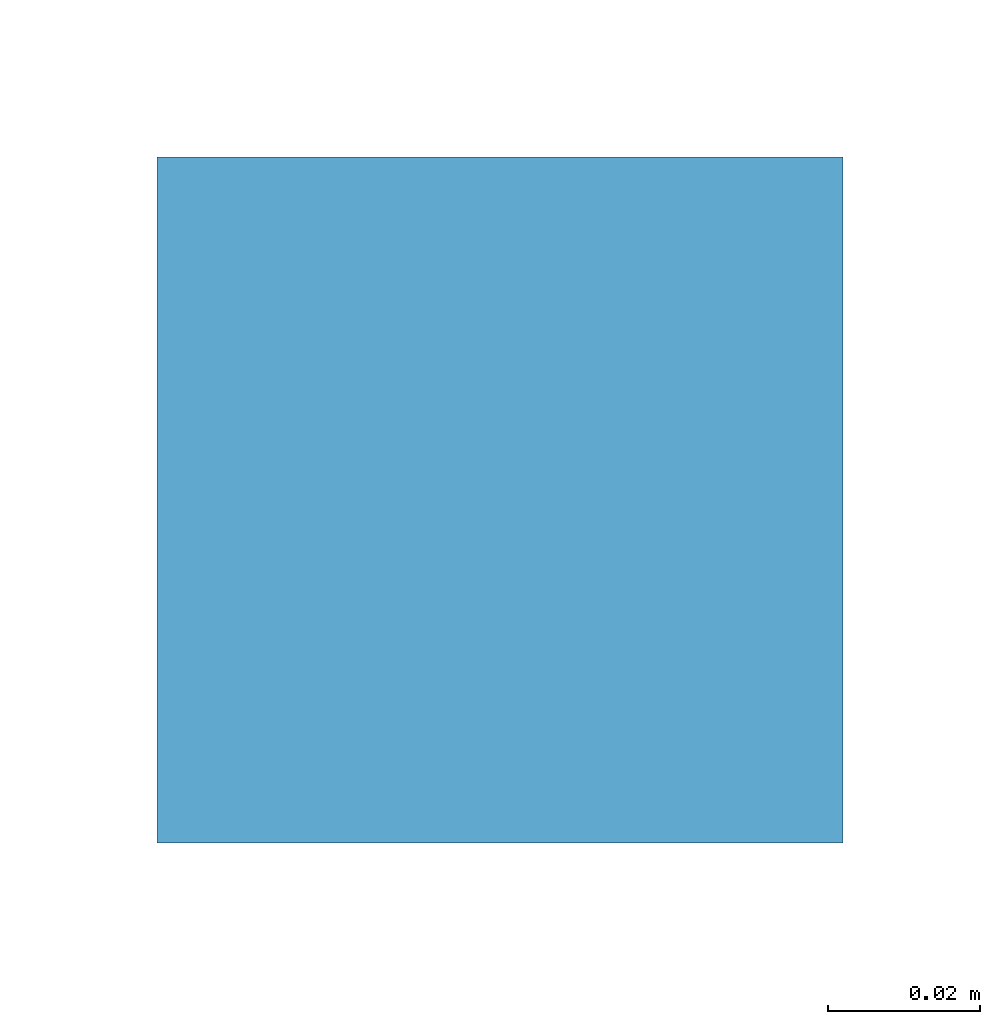
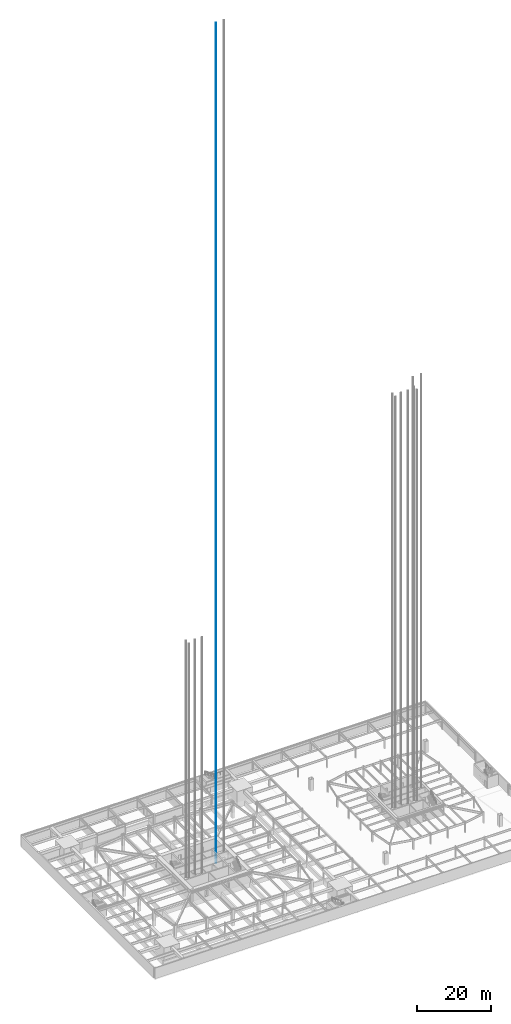
# One storey, part 23 of 35: 1 discrete accessory.
"""IFC4 building model written with IfcOpenShell, lengths in metres."""

from ifc_helpers import new_model, si_unit, direction, frame, origin, origin_2d, place, context, subcontext, project, spatial, rectangle, extrude, material, element, save


model = new_model("IFC4")

# Units and contexts
model_context = context("Model", 3, precision=1e-05, world=origin(), true_north=direction((0.0, 1.0)))
body_context = subcontext(model_context, "Body", "Model", "MODEL_VIEW")
ifc_project = project(units=[si_unit("LENGTHUNIT", "METRE"), si_unit("AREAUNIT", "SQUARE_METRE"), si_unit("VOLUMEUNIT", "CUBIC_METRE"), si_unit("PLANEANGLEUNIT", "RADIAN"), si_unit("MASSUNIT", "GRAM", prefix="KILO")], contexts=[model_context])

# Site, building, storey
site_placement = place(None, origin())
site = spatial("IfcSite", under=ifc_project, at=site_placement, CompositionType="ELEMENT")
building_placement = place(site_placement, origin())
building = spatial("IfcBuilding", under=site, at=building_placement, Name="Iwan Alto Co-Living Towers", CompositionType="ELEMENT")
storey_placement = place(building_placement, frame((0.0, 0.0, -7.199951171875)))
storey = spatial("IfcBuildingStorey", under=building, at=storey_placement, Name="B2", CompositionType="ELEMENT", Elevation=-7.199951171875)

# Discrete accessory
ifc_material = material(Name="Steel ASTM A36", Category="steel")
placement = place(storey_placement, frame((6.85009765625, 3.10009765625, 0.0), z_axis=(0.0, 0.0, 1.0), x_axis=(1.0, 0.0, 0.0)))
discrete_accessory_placement = place(placement, origin())
element("IfcDiscreteAccessory", 1, at=discrete_accessory_placement, inside=storey, material=ifc_material, Name="Lift FL1 guide rail 1", ObjectType="Lift guide rail", PredefinedType="USERDEFINED", context=body_context, shape_type="SweptSolid", body=[
    extrude(rectangle(XDim=0.09, YDim=0.09, at=origin_2d()), frame((-1.300048828125, 0.0, -0.199951171875)), (0.0, 0.0, 1.0), 277.300048828125),
])

save(model, "model.ifc")
